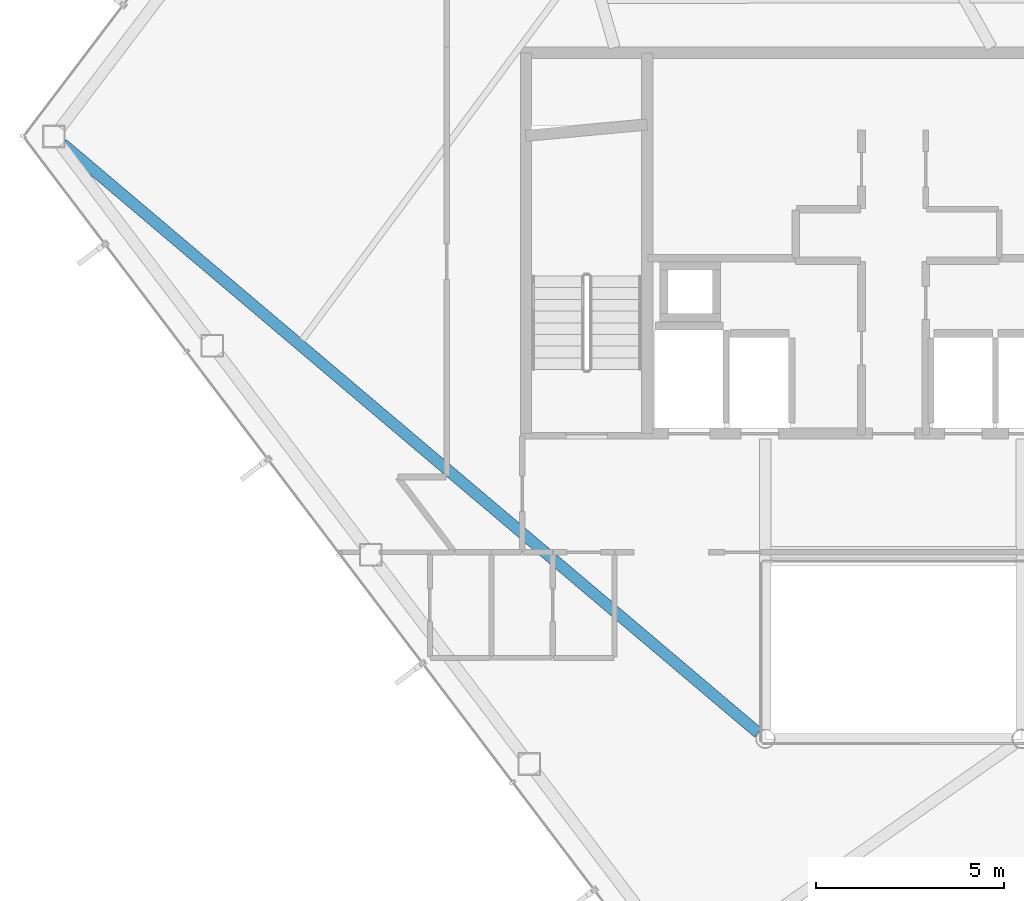
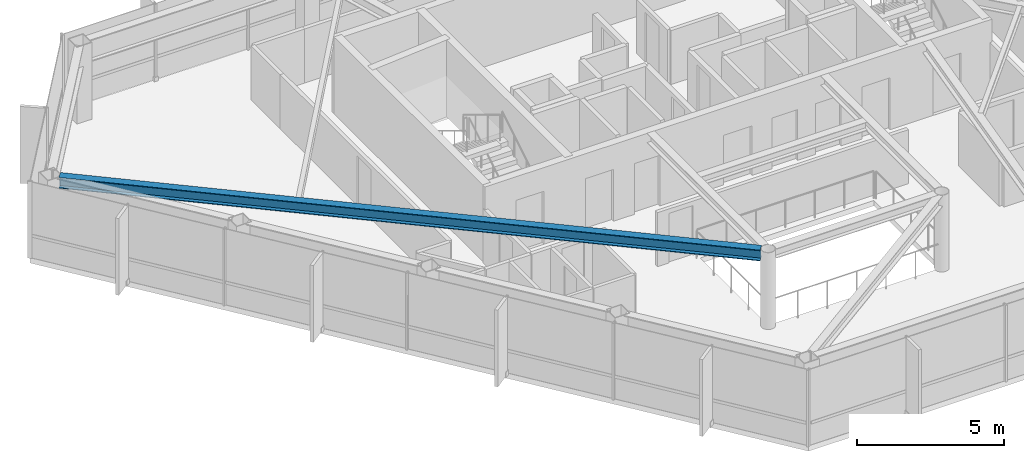
# One storey, part 6 of 27: 1 beam.
"""IFC4 building model written with IfcOpenShell, lengths in metres."""

from ifc_helpers import new_model, si_unit, direction, frame, origin, origin_2d, place, context, subcontext, project, spatial, i_section, extrude, material, material_profile, profile_set, type_object, element, save


model = new_model("IFC4")

# Units and contexts
model_context = context("Model", 3, precision=1e-05, world=origin(), true_north=direction((0.0, 1.0)))
body_context = subcontext(model_context, "Body", "Model", "MODEL_VIEW")
ifc_project = project(units=[si_unit("LENGTHUNIT", "METRE"), si_unit("AREAUNIT", "SQUARE_METRE"), si_unit("VOLUMEUNIT", "CUBIC_METRE"), si_unit("PLANEANGLEUNIT", "RADIAN"), si_unit("MASSUNIT", "GRAM", prefix="KILO")], contexts=[model_context])

# Site, building, storey
site_placement = place(None, origin())
site = spatial("IfcSite", under=ifc_project, at=site_placement, CompositionType="ELEMENT")
building_placement = place(site_placement, origin())
building = spatial("IfcBuilding", under=site, at=building_placement, Name="Zarrinselat Tower", CompositionType="ELEMENT")
storey_placement = place(building_placement, frame((0.0, 0.0, 232.56005859375)))
storey = spatial("IfcBuildingStorey", under=building, at=storey_placement, Name="L58", CompositionType="ELEMENT", Elevation=232.56005859375)

# Beam
ifc_material = material(Name="Steel S355J2", Category="steel")
ifc_material_profile = material_profile(ifc_material, i_section(OverallWidth=0.300048828125, OverallDepth=0.449951171875, WebThickness=0.013916015625, FlangeThickness=0.02587890625, at=origin_2d()), Name="HEB 450")
ifc_profile_set = profile_set([ifc_material_profile], Name="Steel S355J2")
beam_type = type_object("IfcBeamType", Name="BM-HEB450", PredefinedType="BEAM", material=ifc_profile_set)
beam_placement = place(storey_placement, frame((16.357421875, 40.986328125, 2.954833984375), z_axis=(0.763145320969, -0.646226909903, 0.0), x_axis=(0.646226909903, 0.763145320969, 0.0)))
element("IfcBeam", 1, at=beam_placement, inside=storey, type_object=beam_type, Name="L58 Radial Primary Girder RG06", PredefinedType="BEAM", context=body_context, shape_type="SweptSolid", body=[
    extrude(i_section(OverallWidth=0.300048828125, OverallDepth=0.449951171875, WebThickness=0.013916015625, FlangeThickness=0.02587890625, at=origin_2d()), origin(), (0.0, 0.0, 1.0), 24.178466796875),
])

save(model, "model.ifc")
